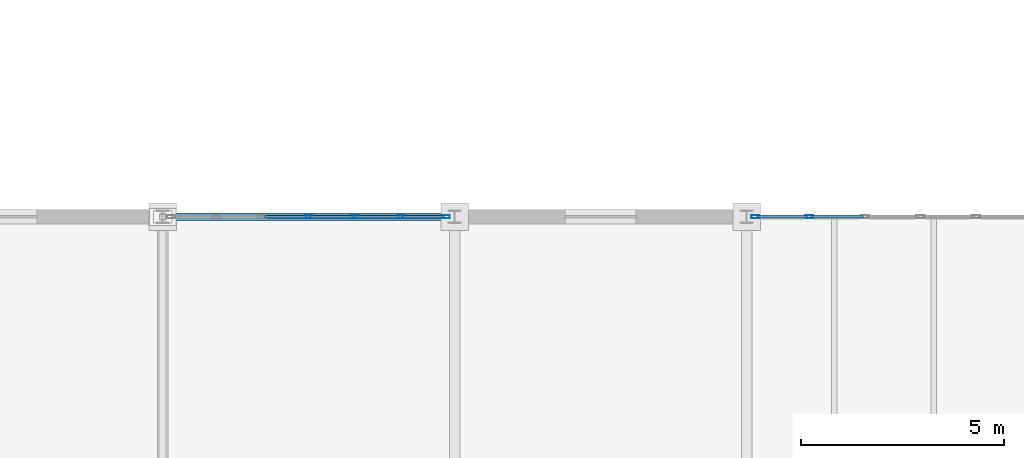
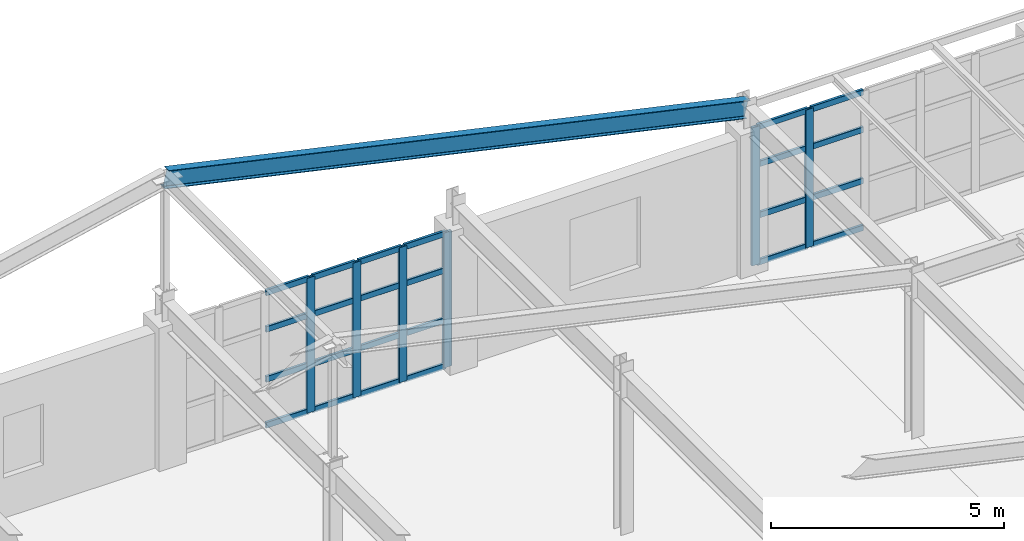
# One storey, part 90 of 137: 30 members, 1 beam, 2 elements without a shape of their own.
"""IFC4 building model written with IfcOpenShell, lengths in metres."""

from ifc_helpers import new_model, si_unit, direction, frame, origin, origin_2d, place, context, subcontext, project, spatial, hollow_rectangle, i_section, extrude, material, layer, layer_set, material_profile, profile_set, type_object, element, aggregate, save


model = new_model("IFC4")

# Units and contexts
model_context = context("Model", 3, precision=1e-05, world=origin(), true_north=direction((0.0, 1.0)))
body_context = subcontext(model_context, "Body", "Model", "MODEL_VIEW")
ifc_project = project(units=[si_unit("LENGTHUNIT", "METRE"), si_unit("AREAUNIT", "SQUARE_METRE"), si_unit("VOLUMEUNIT", "CUBIC_METRE"), si_unit("PLANEANGLEUNIT", "RADIAN"), si_unit("MASSUNIT", "GRAM", prefix="KILO")], contexts=[model_context])

# Site, building, storey
site_placement = place(None, origin())
site = spatial("IfcSite", under=ifc_project, at=site_placement, CompositionType="ELEMENT")
building_placement = place(site_placement, origin())
building = spatial("IfcBuilding", under=site, at=building_placement, Name="Kemerveld Promenade Tramway Depot", CompositionType="ELEMENT")
storey_placement = place(building_placement, frame((0.0, 0.0, 5.39990234375)))
storey = spatial("IfcBuildingStorey", under=building, at=storey_placement, Name="L01", CompositionType="ELEMENT", Elevation=5.39990234375)

# Beam
ifc_material_1 = material(Name="Steel S355", Category="steel")
ifc_material_profile_1 = material_profile(ifc_material_1, i_section(OverallWidth=0.19140625, OverallDepth=0.4599609375, WebThickness=0.010009765625, FlangeThickness=0.01611328125, FilletRadius=0.01025390625, at=origin_2d()), Name="457x191x82 UB")
ifc_profile_set_1 = profile_set([ifc_material_profile_1], Name="Steel S355")
beam_type = type_object("IfcBeamType", Name="BM-G06", PredefinedType="BEAM", material=ifc_profile_set_1)
beam_placement = place(storey_placement, frame((172.800048828125, 50.39990234375, 7.375), z_axis=(0.976187449608, 0.0, -0.216928705402), x_axis=(0.0, 1.0, 0.0)))
element("IfcBeam", 1, at=beam_placement, inside=storey, type_object=beam_type, Name="RAF-V2W-H-B", PredefinedType="BEAM", context=body_context, shape_type="SweptSolid", body=[
    extrude(i_section(OverallWidth=0.19140625, OverallDepth=0.4599609375, WebThickness=0.010009765625, FlangeThickness=0.01611328125, FilletRadius=0.01025390625, at=origin_2d()), origin(), (0.0, 0.0, 1.0), 14.751220703125),
])

# Curtain wall, members
ifc_material_2 = material(Name="Bronze anodised aluminium and solar glass", Category="aluminium")
ifc_layer_1 = layer(ifc_material_2, 0.199951171875)
ifc_layer_set_1 = layer_set([ifc_layer_1], Name="CW-SYS-06")
curtain_wall_type_1 = type_object("IfcCurtainWallType", Name="CW-SYS-06", PredefinedType="USERDEFINED", material=ifc_layer_set_1)
curtain_wall_1_placement = place(storey_placement, origin())
curtain_wall_1 = element("IfcCurtainWall", 2, at=curtain_wall_1_placement, inside=storey, type_object=curtain_wall_type_1, Name="CW-L01-V2N-03", ObjectType="GLAZED_CURTAIN_WALL", PredefinedType="USERDEFINED")
ifc_material_3 = material(Name="Bronze anodised aluminium", Category="aluminium")
ifc_material_profile_2 = material_profile(ifc_material_3, hollow_rectangle(XDim=0.074951171875, YDim=0.199951171875, WallThickness=0.0048828125, InnerFilletRadius=0.001953125, OuterFilletRadius=0.0048828125, at=origin_2d()), Name="CW-MUL-200x75")
ifc_profile_set_2 = profile_set([ifc_material_profile_2], Name="Bronze anodised aluminium")
member_type_1 = type_object("IfcMemberType", Name="CW-MUL-B", PredefinedType="MULLION", material=ifc_profile_set_2)
member_1_placement = place(storey_placement, frame((176.39990234375, 50.39990234375, 0.0), z_axis=(0.0, 0.0, 1.0), x_axis=(0.0, 1.0, 0.0)))
member_1 = element("IfcMember", 3, at=member_1_placement, type_object=member_type_1, Name="CW06 mullion 4", PredefinedType="MULLION", context=body_context, shape_type="SweptSolid", body=[
    extrude(hollow_rectangle(XDim=0.074951171875, YDim=0.199951171875, WallThickness=0.0048828125, InnerFilletRadius=0.001953125, OuterFilletRadius=0.0048828125, at=origin_2d()), origin(), (0.0, 0.0, 1.0), 3.53271484375),
])
member_2_placement = place(storey_placement, frame((177.541015625, 50.39990234375, 0.0), z_axis=(0.0, 0.0, 1.0), x_axis=(0.0, 1.0, 0.0)))
member_2 = element("IfcMember", 4, at=member_2_placement, type_object=member_type_1, Name="CW06 mullion 5", PredefinedType="MULLION", context=body_context, shape_type="SweptSolid", body=[
    extrude(hollow_rectangle(XDim=0.074951171875, YDim=0.199951171875, WallThickness=0.0048828125, InnerFilletRadius=0.001953125, OuterFilletRadius=0.0048828125, at=origin_2d()), origin(), (0.0, 0.0, 1.0), 3.53271484375),
])
member_3_placement = place(storey_placement, frame((178.681884765625, 50.39990234375, 0.0), z_axis=(0.0, 0.0, 1.0), x_axis=(0.0, 1.0, 0.0)))
member_3 = element("IfcMember", 5, at=member_3_placement, type_object=member_type_1, Name="CW06 mullion 6", PredefinedType="MULLION", context=body_context, shape_type="SweptSolid", body=[
    extrude(hollow_rectangle(XDim=0.074951171875, YDim=0.199951171875, WallThickness=0.0048828125, InnerFilletRadius=0.001953125, OuterFilletRadius=0.0048828125, at=origin_2d()), origin(), (0.0, 0.0, 1.0), 3.53271484375),
])
member_4_placement = place(storey_placement, frame((179.785400390625, 50.39990234375, 0.0), z_axis=(0.0, 0.0, 1.0), x_axis=(0.0, 1.0, 0.0)))
member_4 = element("IfcMember", 6, at=member_4_placement, type_object=member_type_1, Name="CW06 mullion 7", PredefinedType="MULLION", context=body_context, shape_type="SweptSolid", body=[
    extrude(hollow_rectangle(XDim=0.074951171875, YDim=0.199951171875, WallThickness=0.0048828125, InnerFilletRadius=0.001953125, OuterFilletRadius=0.0048828125, at=origin_2d()), origin(), (0.0, 0.0, 1.0), 3.53271484375),
])

ifc_layer_2 = layer(ifc_material_2, 0.199951171875)
ifc_layer_set_2 = layer_set([ifc_layer_2], Name="CW-SYS-08")
curtain_wall_type_2 = type_object("IfcCurtainWallType", Name="CW-SYS-08", PredefinedType="USERDEFINED", material=ifc_layer_set_2)
curtain_wall_2_placement = place(storey_placement, origin())
curtain_wall_2 = element("IfcCurtainWall", 7, at=curtain_wall_2_placement, inside=storey, type_object=curtain_wall_type_2, Name="CW-L01-V2N-05", ObjectType="GLAZED_CURTAIN_WALL", PredefinedType="USERDEFINED")
member_5_placement = place(storey_placement, frame((187.414794921875, 50.39990234375, 0.0), z_axis=(0.0, 0.0, 1.0), x_axis=(0.0, 1.0, 0.0)))
member_5 = element("IfcMember", 8, at=member_5_placement, type_object=member_type_1, Name="CW08 mullion 1", PredefinedType="MULLION", context=body_context, shape_type="SweptSolid", body=[
    extrude(hollow_rectangle(XDim=0.074951171875, YDim=0.199951171875, WallThickness=0.0048828125, InnerFilletRadius=0.001953125, OuterFilletRadius=0.0048828125, at=origin_2d()), origin(), (0.0, 0.0, 1.0), 3.61279296875),
])
member_6_placement = place(storey_placement, frame((188.746337890625, 50.39990234375, 0.0), z_axis=(0.0, 0.0, 1.0), x_axis=(0.0, 1.0, 0.0)))
member_6 = element("IfcMember", 9, at=member_6_placement, type_object=member_type_1, Name="CW08 mullion 2", PredefinedType="MULLION", context=body_context, shape_type="SweptSolid", body=[
    extrude(hollow_rectangle(XDim=0.074951171875, YDim=0.199951171875, WallThickness=0.0048828125, InnerFilletRadius=0.001953125, OuterFilletRadius=0.0048828125, at=origin_2d()), origin(), (0.0, 0.0, 1.0), 3.61279296875),
])

# Member
ifc_material_profile_3 = material_profile(ifc_material_3, hollow_rectangle(XDim=0.06494140625, YDim=0.14990234375, WallThickness=0.00439453125, InnerFilletRadius=0.001953125, OuterFilletRadius=0.00439453125, at=origin_2d()), Name="CW-TRN-150x65")
ifc_profile_set_3 = profile_set([ifc_material_profile_3], Name="Bronze anodised aluminium")
member_type_2 = type_object("IfcMemberType", Name="CW-TRN-B", PredefinedType="USERDEFINED", material=ifc_profile_set_3)
member_7_placement = place(storey_placement, frame((175.296630859375, 50.39990234375, 0.03271484375), z_axis=(1.0, 0.0, 0.0), x_axis=(0.0, 1.0, 0.0)))
member_7 = element("IfcMember", 10, at=member_7_placement, type_object=member_type_2, Name="CW06 transom 3.1", ObjectType="TRANSOM", PredefinedType="USERDEFINED", context=body_context, shape_type="SweptSolid", body=[
    extrude(hollow_rectangle(XDim=0.06494140625, YDim=0.14990234375, WallThickness=0.00439453125, InnerFilletRadius=0.001953125, OuterFilletRadius=0.00439453125, at=origin_2d()), origin(), (0.0, 0.0, 1.0), 1.06591796875),
])

member_8_placement = place(storey_placement, frame((175.296630859375, 50.39990234375, 1.236083984375), z_axis=(1.0, 0.0, 0.0), x_axis=(0.0, 1.0, 0.0)))
member_8 = element("IfcMember", 11, at=member_8_placement, type_object=member_type_2, Name="CW06 transom 3.2", ObjectType="TRANSOM", PredefinedType="USERDEFINED", context=body_context, shape_type="SweptSolid", body=[
    extrude(hollow_rectangle(XDim=0.06494140625, YDim=0.14990234375, WallThickness=0.00439453125, InnerFilletRadius=0.001953125, OuterFilletRadius=0.00439453125, at=origin_2d()), origin(), (0.0, 0.0, 1.0), 1.06591796875),
])

member_9_placement = place(storey_placement, frame((175.296630859375, 50.39990234375, 2.543212890625), z_axis=(1.0, 0.0, 0.0), x_axis=(0.0, 1.0, 0.0)))
member_9 = element("IfcMember", 12, at=member_9_placement, type_object=member_type_2, Name="CW06 transom 3.3", ObjectType="TRANSOM", PredefinedType="USERDEFINED", context=body_context, shape_type="SweptSolid", body=[
    extrude(hollow_rectangle(XDim=0.06494140625, YDim=0.14990234375, WallThickness=0.00439453125, InnerFilletRadius=0.001953125, OuterFilletRadius=0.00439453125, at=origin_2d()), origin(), (0.0, 0.0, 1.0), 1.06591796875),
])

member_10_placement = place(storey_placement, frame((175.296630859375, 50.39990234375, 3.500244140625), z_axis=(1.0, 0.0, 0.0), x_axis=(0.0, 1.0, 0.0)))
member_10 = element("IfcMember", 13, at=member_10_placement, type_object=member_type_2, Name="CW06 transom 3.4", ObjectType="TRANSOM", PredefinedType="USERDEFINED", context=body_context, shape_type="SweptSolid", body=[
    extrude(hollow_rectangle(XDim=0.06494140625, YDim=0.14990234375, WallThickness=0.00439453125, InnerFilletRadius=0.001953125, OuterFilletRadius=0.00439453125, at=origin_2d()), origin(), (0.0, 0.0, 1.0), 1.06591796875),
])

member_11_placement = place(storey_placement, frame((176.4375, 50.39990234375, 0.03271484375), z_axis=(1.0, 0.0, 0.0), x_axis=(0.0, 1.0, 0.0)))
member_11 = element("IfcMember", 14, at=member_11_placement, type_object=member_type_2, Name="CW06 transom 4.1", ObjectType="TRANSOM", PredefinedType="USERDEFINED", context=body_context, shape_type="SweptSolid", body=[
    extrude(hollow_rectangle(XDim=0.06494140625, YDim=0.14990234375, WallThickness=0.00439453125, InnerFilletRadius=0.001953125, OuterFilletRadius=0.00439453125, at=origin_2d()), origin(), (0.0, 0.0, 1.0), 1.06591796875),
])

member_12_placement = place(storey_placement, frame((176.4375, 50.39990234375, 1.236083984375), z_axis=(1.0, 0.0, 0.0), x_axis=(0.0, 1.0, 0.0)))
member_12 = element("IfcMember", 15, at=member_12_placement, type_object=member_type_2, Name="CW06 transom 4.2", ObjectType="TRANSOM", PredefinedType="USERDEFINED", context=body_context, shape_type="SweptSolid", body=[
    extrude(hollow_rectangle(XDim=0.06494140625, YDim=0.14990234375, WallThickness=0.00439453125, InnerFilletRadius=0.001953125, OuterFilletRadius=0.00439453125, at=origin_2d()), origin(), (0.0, 0.0, 1.0), 1.06591796875),
])

member_13_placement = place(storey_placement, frame((176.4375, 50.39990234375, 2.543212890625), z_axis=(1.0, 0.0, 0.0), x_axis=(0.0, 1.0, 0.0)))
member_13 = element("IfcMember", 16, at=member_13_placement, type_object=member_type_2, Name="CW06 transom 4.3", ObjectType="TRANSOM", PredefinedType="USERDEFINED", context=body_context, shape_type="SweptSolid", body=[
    extrude(hollow_rectangle(XDim=0.06494140625, YDim=0.14990234375, WallThickness=0.00439453125, InnerFilletRadius=0.001953125, OuterFilletRadius=0.00439453125, at=origin_2d()), origin(), (0.0, 0.0, 1.0), 1.06591796875),
])

member_14_placement = place(storey_placement, frame((176.4375, 50.39990234375, 3.500244140625), z_axis=(1.0, 0.0, 0.0), x_axis=(0.0, 1.0, 0.0)))
member_14 = element("IfcMember", 17, at=member_14_placement, type_object=member_type_2, Name="CW06 transom 4.4", ObjectType="TRANSOM", PredefinedType="USERDEFINED", context=body_context, shape_type="SweptSolid", body=[
    extrude(hollow_rectangle(XDim=0.06494140625, YDim=0.14990234375, WallThickness=0.00439453125, InnerFilletRadius=0.001953125, OuterFilletRadius=0.00439453125, at=origin_2d()), origin(), (0.0, 0.0, 1.0), 1.06591796875),
])

member_15_placement = place(storey_placement, frame((177.578369140625, 50.39990234375, 0.03271484375), z_axis=(1.0, 0.0, 0.0), x_axis=(0.0, 1.0, 0.0)))
member_15 = element("IfcMember", 18, at=member_15_placement, type_object=member_type_2, Name="CW06 transom 5.1", ObjectType="TRANSOM", PredefinedType="USERDEFINED", context=body_context, shape_type="SweptSolid", body=[
    extrude(hollow_rectangle(XDim=0.06494140625, YDim=0.14990234375, WallThickness=0.00439453125, InnerFilletRadius=0.001953125, OuterFilletRadius=0.00439453125, at=origin_2d()), origin(), (0.0, 0.0, 1.0), 1.06591796875),
])

member_16_placement = place(storey_placement, frame((177.578369140625, 50.39990234375, 1.236083984375), z_axis=(1.0, 0.0, 0.0), x_axis=(0.0, 1.0, 0.0)))
member_16 = element("IfcMember", 19, at=member_16_placement, type_object=member_type_2, Name="CW06 transom 5.2", ObjectType="TRANSOM", PredefinedType="USERDEFINED", context=body_context, shape_type="SweptSolid", body=[
    extrude(hollow_rectangle(XDim=0.06494140625, YDim=0.14990234375, WallThickness=0.00439453125, InnerFilletRadius=0.001953125, OuterFilletRadius=0.00439453125, at=origin_2d()), origin(), (0.0, 0.0, 1.0), 1.06591796875),
])

member_17_placement = place(storey_placement, frame((177.578369140625, 50.39990234375, 2.543212890625), z_axis=(1.0, 0.0, 0.0), x_axis=(0.0, 1.0, 0.0)))
member_17 = element("IfcMember", 20, at=member_17_placement, type_object=member_type_2, Name="CW06 transom 5.3", ObjectType="TRANSOM", PredefinedType="USERDEFINED", context=body_context, shape_type="SweptSolid", body=[
    extrude(hollow_rectangle(XDim=0.06494140625, YDim=0.14990234375, WallThickness=0.00439453125, InnerFilletRadius=0.001953125, OuterFilletRadius=0.00439453125, at=origin_2d()), origin(), (0.0, 0.0, 1.0), 1.06591796875),
])

member_18_placement = place(storey_placement, frame((177.578369140625, 50.39990234375, 3.500244140625), z_axis=(1.0, 0.0, 0.0), x_axis=(0.0, 1.0, 0.0)))
member_18 = element("IfcMember", 21, at=member_18_placement, type_object=member_type_2, Name="CW06 transom 5.4", ObjectType="TRANSOM", PredefinedType="USERDEFINED", context=body_context, shape_type="SweptSolid", body=[
    extrude(hollow_rectangle(XDim=0.06494140625, YDim=0.14990234375, WallThickness=0.00439453125, InnerFilletRadius=0.001953125, OuterFilletRadius=0.00439453125, at=origin_2d()), origin(), (0.0, 0.0, 1.0), 1.06591796875),
])

member_19_placement = place(storey_placement, frame((178.719482421875, 50.39990234375, 0.03271484375), z_axis=(1.0, 0.0, 0.0), x_axis=(0.0, 1.0, 0.0)))
member_19 = element("IfcMember", 22, at=member_19_placement, type_object=member_type_2, Name="CW06 transom 6.1", ObjectType="TRANSOM", PredefinedType="USERDEFINED", context=body_context, shape_type="SweptSolid", body=[
    extrude(hollow_rectangle(XDim=0.06494140625, YDim=0.14990234375, WallThickness=0.00439453125, InnerFilletRadius=0.001953125, OuterFilletRadius=0.00439453125, at=origin_2d()), origin(), (0.0, 0.0, 1.0), 1.0283203125),
])

member_20_placement = place(storey_placement, frame((178.719482421875, 50.39990234375, 1.236083984375), z_axis=(1.0, 0.0, 0.0), x_axis=(0.0, 1.0, 0.0)))
member_20 = element("IfcMember", 23, at=member_20_placement, type_object=member_type_2, Name="CW06 transom 6.2", ObjectType="TRANSOM", PredefinedType="USERDEFINED", context=body_context, shape_type="SweptSolid", body=[
    extrude(hollow_rectangle(XDim=0.06494140625, YDim=0.14990234375, WallThickness=0.00439453125, InnerFilletRadius=0.001953125, OuterFilletRadius=0.00439453125, at=origin_2d()), origin(), (0.0, 0.0, 1.0), 1.0283203125),
])

member_21_placement = place(storey_placement, frame((178.719482421875, 50.39990234375, 2.543212890625), z_axis=(1.0, 0.0, 0.0), x_axis=(0.0, 1.0, 0.0)))
member_21 = element("IfcMember", 24, at=member_21_placement, type_object=member_type_2, Name="CW06 transom 6.3", ObjectType="TRANSOM", PredefinedType="USERDEFINED", context=body_context, shape_type="SweptSolid", body=[
    extrude(hollow_rectangle(XDim=0.06494140625, YDim=0.14990234375, WallThickness=0.00439453125, InnerFilletRadius=0.001953125, OuterFilletRadius=0.00439453125, at=origin_2d()), origin(), (0.0, 0.0, 1.0), 1.0283203125),
])

member_22_placement = place(storey_placement, frame((178.719482421875, 50.39990234375, 3.500244140625), z_axis=(1.0, 0.0, 0.0), x_axis=(0.0, 1.0, 0.0)))
member_22 = element("IfcMember", 25, at=member_22_placement, type_object=member_type_2, Name="CW06 transom 6.4", ObjectType="TRANSOM", PredefinedType="USERDEFINED", context=body_context, shape_type="SweptSolid", body=[
    extrude(hollow_rectangle(XDim=0.06494140625, YDim=0.14990234375, WallThickness=0.00439453125, InnerFilletRadius=0.001953125, OuterFilletRadius=0.00439453125, at=origin_2d()), origin(), (0.0, 0.0, 1.0), 1.0283203125),
])

aggregate(curtain_wall_1, [member_1, member_2, member_3, member_4, member_7, member_8, member_9, member_10, member_11, member_12, member_13, member_14, member_15, member_16, member_17, member_18, member_19, member_20, member_21, member_22])

member_23_placement = place(storey_placement, frame((187.4521484375, 50.39990234375, 0.03271484375), z_axis=(1.0, 0.0, 0.0), x_axis=(0.0, 1.0, 0.0)))
member_23 = element("IfcMember", 26, at=member_23_placement, type_object=member_type_2, Name="CW08 transom 1.1", ObjectType="TRANSOM", PredefinedType="USERDEFINED", context=body_context, shape_type="SweptSolid", body=[
    extrude(hollow_rectangle(XDim=0.06494140625, YDim=0.14990234375, WallThickness=0.00439453125, InnerFilletRadius=0.001953125, OuterFilletRadius=0.00439453125, at=origin_2d()), origin(), (0.0, 0.0, 1.0), 1.256591796875),
])

member_24_placement = place(storey_placement, frame((187.4521484375, 50.39990234375, 1.26416015625), z_axis=(1.0, 0.0, 0.0), x_axis=(0.0, 1.0, 0.0)))
member_24 = element("IfcMember", 27, at=member_24_placement, type_object=member_type_2, Name="CW08 transom 1.2", ObjectType="TRANSOM", PredefinedType="USERDEFINED", context=body_context, shape_type="SweptSolid", body=[
    extrude(hollow_rectangle(XDim=0.06494140625, YDim=0.14990234375, WallThickness=0.00439453125, InnerFilletRadius=0.001953125, OuterFilletRadius=0.00439453125, at=origin_2d()), origin(), (0.0, 0.0, 1.0), 1.256591796875),
])

member_25_placement = place(storey_placement, frame((187.4521484375, 50.39990234375, 2.60107421875), z_axis=(1.0, 0.0, 0.0), x_axis=(0.0, 1.0, 0.0)))
member_25 = element("IfcMember", 28, at=member_25_placement, type_object=member_type_2, Name="CW08 transom 1.3", ObjectType="TRANSOM", PredefinedType="USERDEFINED", context=body_context, shape_type="SweptSolid", body=[
    extrude(hollow_rectangle(XDim=0.06494140625, YDim=0.14990234375, WallThickness=0.00439453125, InnerFilletRadius=0.001953125, OuterFilletRadius=0.00439453125, at=origin_2d()), origin(), (0.0, 0.0, 1.0), 1.256591796875),
])

member_26_placement = place(storey_placement, frame((187.4521484375, 50.39990234375, 3.580078125), z_axis=(1.0, 0.0, 0.0), x_axis=(0.0, 1.0, 0.0)))
member_26 = element("IfcMember", 29, at=member_26_placement, type_object=member_type_2, Name="CW08 transom 1.4", ObjectType="TRANSOM", PredefinedType="USERDEFINED", context=body_context, shape_type="SweptSolid", body=[
    extrude(hollow_rectangle(XDim=0.06494140625, YDim=0.14990234375, WallThickness=0.00439453125, InnerFilletRadius=0.001953125, OuterFilletRadius=0.00439453125, at=origin_2d()), origin(), (0.0, 0.0, 1.0), 1.256591796875),
])

member_27_placement = place(storey_placement, frame((188.783935546875, 50.39990234375, 0.03271484375), z_axis=(1.0, 0.0, 0.0), x_axis=(0.0, 1.0, 0.0)))
member_27 = element("IfcMember", 30, at=member_27_placement, type_object=member_type_2, Name="CW08 transom 2.1", ObjectType="TRANSOM", PredefinedType="USERDEFINED", context=body_context, shape_type="SweptSolid", body=[
    extrude(hollow_rectangle(XDim=0.06494140625, YDim=0.14990234375, WallThickness=0.00439453125, InnerFilletRadius=0.001953125, OuterFilletRadius=0.00439453125, at=origin_2d()), origin(), (0.0, 0.0, 1.0), 1.2939453125),
])

member_28_placement = place(storey_placement, frame((188.783935546875, 50.39990234375, 1.26416015625), z_axis=(1.0, 0.0, 0.0), x_axis=(0.0, 1.0, 0.0)))
member_28 = element("IfcMember", 31, at=member_28_placement, type_object=member_type_2, Name="CW08 transom 2.2", ObjectType="TRANSOM", PredefinedType="USERDEFINED", context=body_context, shape_type="SweptSolid", body=[
    extrude(hollow_rectangle(XDim=0.06494140625, YDim=0.14990234375, WallThickness=0.00439453125, InnerFilletRadius=0.001953125, OuterFilletRadius=0.00439453125, at=origin_2d()), origin(), (0.0, 0.0, 1.0), 1.2939453125),
])

member_29_placement = place(storey_placement, frame((188.783935546875, 50.39990234375, 2.60107421875), z_axis=(1.0, 0.0, 0.0), x_axis=(0.0, 1.0, 0.0)))
member_29 = element("IfcMember", 32, at=member_29_placement, type_object=member_type_2, Name="CW08 transom 2.3", ObjectType="TRANSOM", PredefinedType="USERDEFINED", context=body_context, shape_type="SweptSolid", body=[
    extrude(hollow_rectangle(XDim=0.06494140625, YDim=0.14990234375, WallThickness=0.00439453125, InnerFilletRadius=0.001953125, OuterFilletRadius=0.00439453125, at=origin_2d()), origin(), (0.0, 0.0, 1.0), 1.2939453125),
])

member_30_placement = place(storey_placement, frame((188.783935546875, 50.39990234375, 3.580078125), z_axis=(1.0, 0.0, 0.0), x_axis=(0.0, 1.0, 0.0)))
member_30 = element("IfcMember", 33, at=member_30_placement, type_object=member_type_2, Name="CW08 transom 2.4", ObjectType="TRANSOM", PredefinedType="USERDEFINED", context=body_context, shape_type="SweptSolid", body=[
    extrude(hollow_rectangle(XDim=0.06494140625, YDim=0.14990234375, WallThickness=0.00439453125, InnerFilletRadius=0.001953125, OuterFilletRadius=0.00439453125, at=origin_2d()), origin(), (0.0, 0.0, 1.0), 1.2939453125),
])

aggregate(curtain_wall_2, [member_5, member_6, member_23, member_24, member_25, member_26, member_27, member_28, member_29, member_30])

save(model, "model.ifc")
